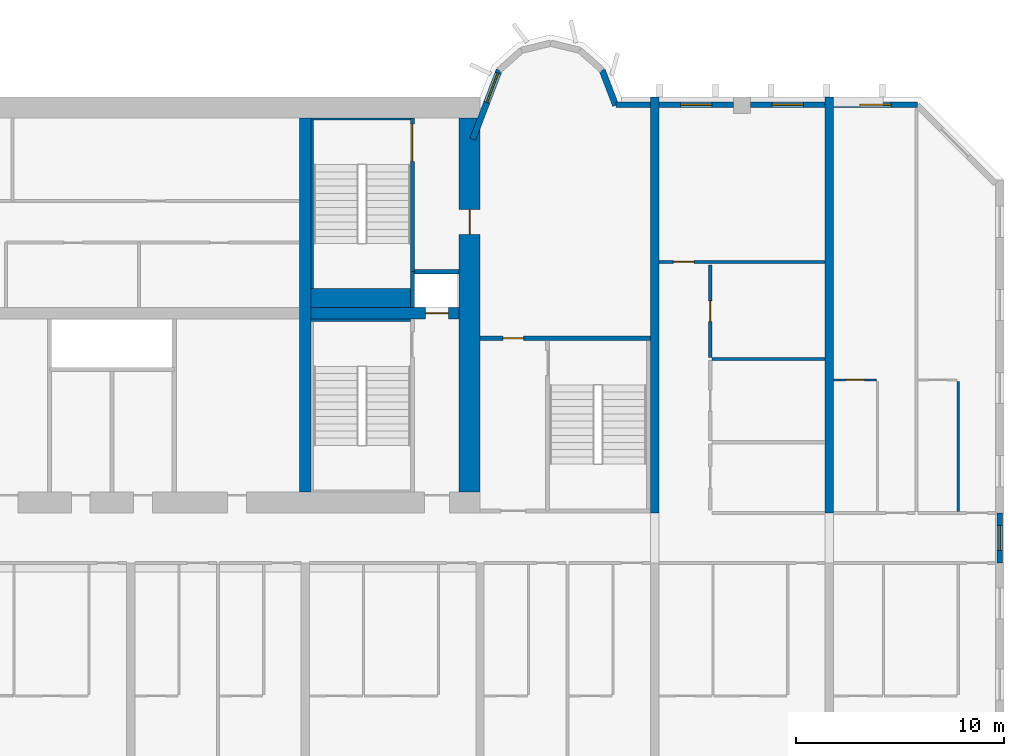
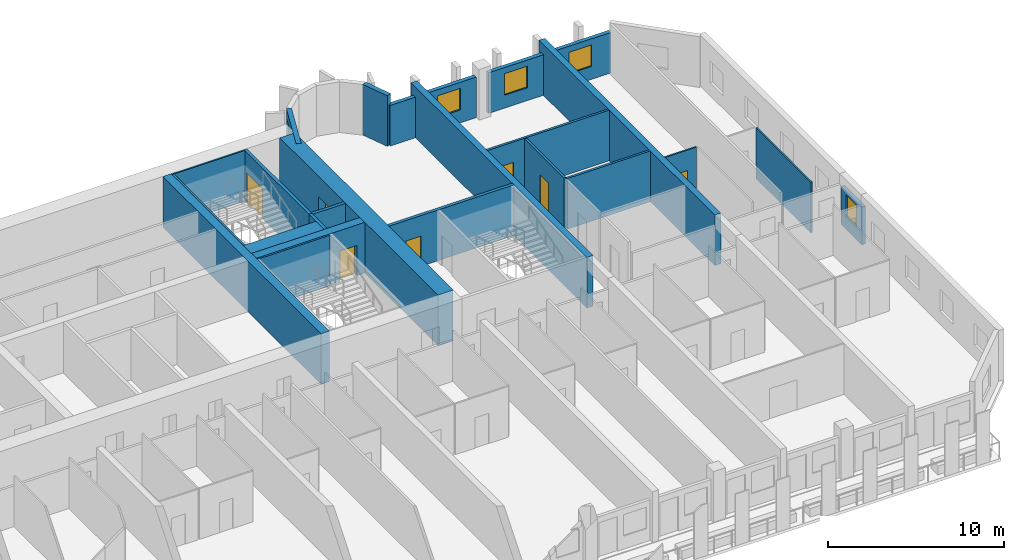
# One storey, part 10 of 15: 25 walls, 7 doors, 5 windows, 12 openings.
"""IFC4 building model written with IfcOpenShell, lengths in metres."""

from ifc_helpers import new_model, si_unit, direction, frame, frame_2d, origin, place, context, subcontext, project, spatial, rectangle, extrude, source, transform, mapped, material, layer, layer_set, type_object, element, fill, save


model = new_model("IFC4")

# Units and contexts
model_context = context("Model", 3, precision=1e-05, world=origin(), true_north=direction((0.0, 1.0)))
body_context = subcontext(model_context, "Body", "Model", "MODEL_VIEW")
ifc_project = project(units=[si_unit("LENGTHUNIT", "METRE"), si_unit("AREAUNIT", "SQUARE_METRE"), si_unit("VOLUMEUNIT", "CUBIC_METRE"), si_unit("PLANEANGLEUNIT", "RADIAN"), si_unit("MASSUNIT", "GRAM", prefix="KILO")], contexts=[model_context])

# Site, building, storey
site_placement = place(None, origin())
site = spatial("IfcSite", under=ifc_project, at=site_placement, CompositionType="ELEMENT")
building_placement = place(site_placement, origin())
building = spatial("IfcBuilding", under=site, at=building_placement, Name="Vanashikhar Sky Hotel", CompositionType="ELEMENT")
storey_placement = place(building_placement, frame((0.0, 0.0, 46.800048828125)))
storey = spatial("IfcBuildingStorey", under=building, at=storey_placement, Name="L10", CompositionType="ELEMENT", Elevation=46.800048828125)

# Wall, opening, door
ifc_material_1 = material(Name="Concrete M80", Category="concrete")
ifc_layer_1 = layer(ifc_material_1, 1.0)
ifc_layer_set_1 = layer_set([ifc_layer_1], Name="RC core shell wall 1000 Concrete M80")
wall_type_1 = type_object("IfcWallType", Name="RC core shell wall 1000 Concrete M80", PredefinedType="SHEAR", material=ifc_layer_set_1)
shared_shape_1 = source(origin(), body_context, "Body", "SweptSolid", [
    extrude(rectangle(XDim=18.0, YDim=1.0, at=frame_2d((9.0, 0.0))), origin(), (0.0, 0.0, 1.0), 3.52001953125),
])
wall_1_placement = place(storey_placement, frame((75.10009765625, 23.0, 0.0), z_axis=(0.0, 0.0, 1.0), x_axis=(0.0, 1.0, 0.0)))
wall_1 = element("IfcWall", 1, at=wall_1_placement, inside=storey, type_object=wall_type_1, Name="KW-L10-KE", PredefinedType="SHEAR", context=body_context, shape_type="MappedRepresentation", body=[
    mapped(shared_shape_1, transform((0.0, 0.0, 0.0), scale=1.0)),
])
shared_shape_2 = source(origin(), body_context, "Body", "SweptSolid", [
    extrude(rectangle(XDim=1.199951171875, YDim=2.10009765625, at=frame_2d((0.60009765625, 1.050048828125))), frame((0.0, 0.510009765625, 0.0), z_axis=(0.0, -1.0, 0.0), x_axis=(1.0, 0.0, 0.0)), (0.0, 0.0, 1.0), 1.02001953125),
])
opening_1_placement = place(wall_1_placement, frame((12.39990234375, 0.0, 0.0)))
opening_1 = element("IfcOpeningElement", 2, at=opening_1_placement, cuts=wall_1, Name="Opening DC-4-D", PredefinedType="OPENING", context=body_context, shape_type="MappedRepresentation", body=[
    mapped(shared_shape_2, transform((0.0, 0.0, 0.0), scale=1.0)),
])
ifc_material_2 = material(Name="Steel", Category="steel")
door_type_1 = type_object("IfcDoorType", Name="Service door 1200 FD120", OperationType="NOTDEFINED", PredefinedType="DOOR", material=ifc_material_2)
shared_shape_3 = source(origin(), body_context, "Body", "SweptSolid", [
    extrude(rectangle(XDim=1.199951171875, YDim=2.10009765625, at=frame_2d((0.60009765625, 1.050048828125))), frame((0.0, 0.02490234375, 0.0), z_axis=(0.0, -1.0, 0.0), x_axis=(1.0, 0.0, 0.0)), (0.0, 0.0, 1.0), 0.050048828125),
])
door_1_placement = place(opening_1_placement, origin())
door_1 = element("IfcDoor", 3, at=door_1_placement, inside=storey, type_object=door_type_1, Name="Service door 1200 FD120", OperationType="SINGLE_SWING_RIGHT", OverallHeight=2.10009765625, OverallWidth=1.199951171875, PredefinedType="DOOR", context=body_context, shape_type="MappedRepresentation", body=[
    mapped(shared_shape_3, transform((0.0, 0.0, 0.0), scale=1.0)),
])
fill(opening_1, door_1)

# Wall
ifc_layer_2 = layer(ifc_material_1, 0.550048828125)
ifc_layer_set_2 = layer_set([ifc_layer_2], Name="RC core inner wall 550 Concrete M80")
wall_type_2 = type_object("IfcWallType", Name="RC core inner wall 550 Concrete M80", PredefinedType="SHEAR", material=ifc_layer_set_2)
shared_shape_4 = source(origin(), body_context, "Body", "SweptSolid", [
    extrude(rectangle(XDim=18.0, YDim=0.550048828125, at=frame_2d((9.0, 0.0))), origin(), (0.0, 0.0, 1.0), 3.52001953125),
])
wall_2_placement = place(storey_placement, frame((67.199951171875, 23.0, 0.0), z_axis=(0.0, 0.0, 1.0), x_axis=(0.0, 1.0, 0.0)))
element("IfcWall", 4, at=wall_2_placement, inside=storey, type_object=wall_type_2, Name="KW-L10-KX3", PredefinedType="SHEAR", context=body_context, shape_type="MappedRepresentation", body=[
    mapped(shared_shape_4, transform((0.0, 0.0, 0.0), scale=1.0)),
])

# Wall, opening, door
shared_shape_5 = source(origin(), body_context, "Body", "SweptSolid", [
    extrude(rectangle(XDim=7.125, YDim=0.550048828125, at=frame_2d((3.5625, 0.0))), origin(), (0.0, 0.0, 1.0), 3.52001953125),
])
wall_3_placement = place(storey_placement, frame((67.47509765625, 31.60009765625, 0.0), z_axis=(0.0, 0.0, 1.0), x_axis=(1.0, 0.0, 0.0)))
wall_3 = element("IfcWall", 5, at=wall_3_placement, inside=storey, type_object=wall_type_2, Name="KW-L10-KY4", PredefinedType="SHEAR", context=body_context, shape_type="MappedRepresentation", body=[
    mapped(shared_shape_5, transform((0.0, 0.0, 0.0), scale=1.0)),
])
shared_shape_6 = source(origin(), body_context, "Body", "SweptSolid", [
    extrude(rectangle(XDim=1.10009765625, YDim=2.10009765625, at=frame_2d((0.550048828125, 1.050048828125))), frame((0.0, 0.28515625, 0.0), z_axis=(0.0, -1.0, 0.0), x_axis=(1.0, 0.0, 0.0)), (0.0, 0.0, 1.0), 0.570068359375),
])
opening_2_placement = place(wall_3_placement, frame((5.5, 0.0, 0.0)))
opening_2 = element("IfcOpeningElement", 6, at=opening_2_placement, cuts=wall_3, Name="Opening LD", PredefinedType="OPENING", context=body_context, shape_type="MappedRepresentation", body=[
    mapped(shared_shape_6, transform((0.0, 0.0, 0.0), scale=1.0)),
])
ifc_material_3 = material(Name="Stainless steel", Category="steel")
door_type_2 = type_object("IfcDoorType", Name="Lift landing door 1100", OperationType="NOTDEFINED", PredefinedType="DOOR", material=ifc_material_3)
shared_shape_7 = source(origin(), body_context, "Body", "SweptSolid", [
    extrude(rectangle(XDim=1.10009765625, YDim=2.10009765625, at=frame_2d((0.550048828125, 1.050048828125))), frame((0.0, 0.02490234375, 0.0), z_axis=(0.0, -1.0, 0.0), x_axis=(1.0, 0.0, 0.0)), (0.0, 0.0, 1.0), 0.050048828125),
])
door_2_placement = place(opening_2_placement, origin())
door_2 = element("IfcDoor", 7, at=door_2_placement, inside=storey, type_object=door_type_2, Name="Lift landing door 1100", OperationType="SLIDING_TO_LEFT", OverallHeight=2.10009765625, OverallWidth=1.10009765625, PredefinedType="DOOR", context=body_context, shape_type="MappedRepresentation", body=[
    mapped(shared_shape_7, transform((0.0, 0.0, 0.0), scale=1.0)),
])
fill(opening_2, door_2)

# Walls
ifc_layer_3 = layer(ifc_material_1, 0.39990234375)
ifc_layer_set_3 = layer_set([ifc_layer_3], Name="RC shear wall 400 Concrete M80")
wall_type_3 = type_object("IfcWallType", Name="RC shear wall 400 Concrete M80", PredefinedType="SHEAR", material=ifc_layer_set_3)
shared_shape_8 = source(origin(), body_context, "Body", "SweptSolid", [
    extrude(rectangle(XDim=20.0, YDim=0.39990234375, at=frame_2d((10.0, 0.0))), origin(), (0.0, 0.0, 1.0), 3.52001953125),
])
for number, where, z_axis, x_axis, name in (
    (8, (84.0, 22.0, 0.0), (0.0, 0.0, 1.0), (0.0, 1.0, 0.0), "CW-L10-XW11-2"),
    (9, (92.39990234375, 22.0, 0.0), (0.0, 0.0, 1.0), (0.0, 1.0, 0.0), "CW-L10-XW12-2"),
):
    element("IfcWall", number, at=place(storey_placement, frame(where, z_axis=z_axis, x_axis=x_axis)), inside=storey, type_object=wall_type_3, Name=name, PredefinedType="SHEAR", context=body_context, shape_type="MappedRepresentation", body=[
        mapped(shared_shape_8, transform((0.0, 0.0, 0.0), scale=1.0)),
    ])

# Wall, opening, window
ifc_material_4 = material(Name="Concrete M50", Category="concrete")
ifc_layer_4 = layer(ifc_material_4, 0.300048828125)
ifc_layer_set_4 = layer_set([ifc_layer_4], Name="Lobe wall 300")
wall_type_4 = type_object("IfcWallType", Name="Lobe wall 300", PredefinedType="SOLIDWALL", material=ifc_layer_set_4)
shared_shape_9 = source(origin(), body_context, "Body", "SweptSolid", [
    extrude(rectangle(XDim=3.55908203125, YDim=0.300048828125, at=frame_2d((1.779541015625, 0.0))), origin(), (0.0, 0.0, 1.0), 3.52001953125),
])
wall_4_placement = place(storey_placement, frame((76.5234375, 43.2919921875, 0.0), z_axis=(0.0, 0.0, 1.0), x_axis=(-0.35779745313, -0.933799219604, 0.0)))
wall_4 = element("IfcWall", 10, at=wall_4_placement, inside=storey, type_object=wall_type_4, Name="Lobe wall", PredefinedType="SOLIDWALL", context=body_context, shape_type="MappedRepresentation", body=[
    mapped(shared_shape_9, transform((0.0, 0.0, 0.0), scale=1.0)),
])
shared_shape_10 = source(origin(), body_context, "Body", "SweptSolid", [
    extrude(rectangle(XDim=1.5, YDim=2.0, at=frame_2d((0.75, 1.0))), frame((0.0, 0.16015625, 0.0), z_axis=(0.0, -1.0, 0.0), x_axis=(1.0, 0.0, 0.0)), (0.0, 0.0, 1.0), 0.320068359375),
])
opening_3_placement = place(wall_4_placement, frame((0.156005859375, 0.0, 0.89990234375)))
opening_3 = element("IfcOpeningElement", 11, at=opening_3_placement, cuts=wall_4, Name="Opening WN-2", PredefinedType="OPENING", context=body_context, shape_type="MappedRepresentation", body=[
    mapped(shared_shape_10, transform((0.0, 0.0, 0.0), scale=1.0)),
])
ifc_material_5 = material(Name="Glass", Category="glass")
window_type_1 = type_object("IfcWindowType", Name="Lobe window 1500 x 2000", PartitioningType="SINGLE_PANEL", PredefinedType="WINDOW", material=ifc_material_5)
shared_shape_11 = source(origin(), body_context, "Body", "SweptSolid", [
    extrude(rectangle(XDim=1.5, YDim=2.0, at=frame_2d((0.75, 1.0))), frame((0.0, 0.030029296875, 0.0), z_axis=(0.0, -1.0, 0.0), x_axis=(1.0, 0.0, 0.0)), (0.0, 0.0, 1.0), 0.06005859375),
])
window_1_placement = place(opening_3_placement, origin())
window_1 = element("IfcWindow", 12, at=window_1_placement, inside=storey, type_object=window_type_1, Name="Window WN-2", OverallHeight=2.0, OverallWidth=1.5, PartitioningType="SINGLE_PANEL", PredefinedType="WINDOW", context=body_context, shape_type="MappedRepresentation", body=[
    mapped(shared_shape_11, transform((0.0, 0.0, 0.0), scale=1.0)),
])
fill(opening_3, window_1)

# Wall
shared_shape_12 = source(origin(), body_context, "Body", "SweptSolid", [
    extrude(rectangle(XDim=1.81201171875, YDim=0.300048828125, at=frame_2d((0.906005859375, 0.0))), origin(), (0.0, 0.0, 1.0), 3.52001953125),
])
wall_5_placement = place(storey_placement, frame((82.125, 41.60009765625, 0.0), z_axis=(0.0, 0.0, 1.0), x_axis=(-0.357877270961, 0.93376863244, 0.0)))
element("IfcWall", 13, at=wall_5_placement, inside=storey, type_object=wall_type_4, Name="Lobe wall", PredefinedType="SOLIDWALL", context=body_context, shape_type="MappedRepresentation", body=[
    mapped(shared_shape_12, transform((0.0, 0.0, 0.0), scale=1.0)),
])

# Wall, opening, window
ifc_layer_5 = layer(ifc_material_4, 0.25)
ifc_layer_set_5 = layer_set([ifc_layer_5], Name="Rear and end board-marked wall 250")
wall_type_5 = type_object("IfcWallType", Name="Rear and end board-marked wall 250", PredefinedType="SOLIDWALL", material=ifc_layer_set_5)
shared_shape_13 = source(origin(), body_context, "Body", "SweptSolid", [
    extrude(rectangle(XDim=2.39990234375, YDim=0.25, at=frame_2d((1.199951171875, 0.0))), origin(), (0.0, 0.0, 1.0), 2.619873046875),
])
wall_6_placement = place(storey_placement, frame((100.60009765625, 19.60009765625, 0.0), z_axis=(0.0, 0.0, 1.0), x_axis=(0.0, 1.0, 0.0)))
wall_6 = element("IfcWall", 14, at=wall_6_placement, inside=storey, type_object=wall_type_5, Name="End corridor infill wall", PredefinedType="SOLIDWALL", context=body_context, shape_type="MappedRepresentation", body=[
    mapped(shared_shape_13, transform((0.0, 0.0, 0.0), scale=1.0)),
])
shared_shape_14 = source(origin(), body_context, "Body", "SweptSolid", [
    extrude(rectangle(XDim=1.199951171875, YDim=1.5, at=frame_2d((0.60009765625, 0.75))), frame((0.0, 0.135009765625, 0.0), z_axis=(0.0, -1.0, 0.0), x_axis=(1.0, 0.0, 0.0)), (0.0, 0.0, 1.0), 0.27001953125),
])
opening_4_placement = place(wall_6_placement, frame((0.60009765625, 0.0, 0.89990234375)))
opening_4 = element("IfcOpeningElement", 15, at=opening_4_placement, cuts=wall_6, Name="Opening WN-3", PredefinedType="OPENING", context=body_context, shape_type="MappedRepresentation", body=[
    mapped(shared_shape_14, transform((0.0, 0.0, 0.0), scale=1.0)),
])
window_type_2 = type_object("IfcWindowType", Name="Corridor end window 1200 x 1500", PartitioningType="SINGLE_PANEL", PredefinedType="WINDOW", material=ifc_material_5)
shared_shape_15 = source(origin(), body_context, "Body", "SweptSolid", [
    extrude(rectangle(XDim=1.199951171875, YDim=1.5, at=frame_2d((0.60009765625, 0.75))), frame((0.0, 0.030029296875, 0.0), z_axis=(0.0, -1.0, 0.0), x_axis=(1.0, 0.0, 0.0)), (0.0, 0.0, 1.0), 0.06005859375),
])
window_2_placement = place(opening_4_placement, origin())
window_2 = element("IfcWindow", 16, at=window_2_placement, inside=storey, type_object=window_type_2, Name="Window WN-3", OverallHeight=1.5, OverallWidth=1.199951171875, PartitioningType="SINGLE_PANEL", PredefinedType="WINDOW", context=body_context, shape_type="MappedRepresentation", body=[
    mapped(shared_shape_15, transform((0.0, 0.0, 0.0), scale=1.0)),
])
fill(opening_4, window_2)

# Wall
shared_shape_16 = source(origin(), body_context, "Body", "SweptSolid", [
    extrude(rectangle(XDim=1.657958984375, YDim=0.25, at=frame_2d((0.8291015625, 0.0))), origin(), (0.0, 0.0, 1.0), 2.820068359375),
])
wall_7_placement = place(storey_placement, frame((83.800048828125, 41.625, 0.0), z_axis=(0.0, 0.0, 1.0), x_axis=(-1.0, 0.0, 0.0)))
element("IfcWall", 17, at=wall_7_placement, inside=storey, type_object=wall_type_5, Name="Rear board-marked wall", PredefinedType="SOLIDWALL", context=body_context, shape_type="MappedRepresentation", body=[
    mapped(shared_shape_16, transform((0.0, 0.0, 0.0), scale=1.0)),
])

# Wall, opening, window
shared_shape_17 = source(origin(), body_context, "Body", "SweptSolid", [
    extrude(rectangle(XDim=3.60009765625, YDim=0.25, at=frame_2d((1.800048828125, 0.0))), origin(), (0.0, 0.0, 1.0), 2.820068359375),
])
wall_8_placement = place(storey_placement, frame((87.800048828125, 41.625, 0.0), z_axis=(0.0, 0.0, 1.0), x_axis=(-1.0, 0.0, 0.0)))
wall_8 = element("IfcWall", 18, at=wall_8_placement, inside=storey, type_object=wall_type_5, Name="Rear board-marked wall", PredefinedType="SOLIDWALL", context=body_context, shape_type="MappedRepresentation", body=[
    mapped(shared_shape_17, transform((0.0, 0.0, 0.0), scale=1.0)),
])
shared_shape_18 = source(origin(), body_context, "Body", "SweptSolid", [
    extrude(rectangle(XDim=1.5, YDim=1.5, at=frame_2d((0.75, 0.75))), frame((0.0, 0.135009765625, 0.0), z_axis=(0.0, -1.0, 0.0), x_axis=(1.0, 0.0, 0.0)), (0.0, 0.0, 1.0), 0.27001953125),
])
opening_5_placement = place(wall_8_placement, frame((1.050048828125, 0.0, 0.89990234375)))
opening_5 = element("IfcOpeningElement", 19, at=opening_5_placement, cuts=wall_8, Name="Opening WN-1", PredefinedType="OPENING", context=body_context, shape_type="MappedRepresentation", body=[
    mapped(shared_shape_18, transform((0.0, 0.0, 0.0), scale=1.0)),
])
window_type_3 = type_object("IfcWindowType", Name="Window 1500 x 1500", PartitioningType="SINGLE_PANEL", PredefinedType="WINDOW", material=ifc_material_5)
shared_shape_19 = source(origin(), body_context, "Body", "SweptSolid", [
    extrude(rectangle(XDim=1.5, YDim=1.5, at=frame_2d((0.75, 0.75))), frame((0.0, 0.030029296875, 0.0), z_axis=(0.0, -1.0, 0.0), x_axis=(1.0, 0.0, 0.0)), (0.0, 0.0, 1.0), 0.06005859375),
])
window_3_placement = place(opening_5_placement, origin())
window_3 = element("IfcWindow", 20, at=window_3_placement, inside=storey, type_object=window_type_3, Name="Window WN-1", OverallHeight=1.5, OverallWidth=1.5, PartitioningType="SINGLE_PANEL", PredefinedType="WINDOW", context=body_context, shape_type="MappedRepresentation", body=[
    mapped(shared_shape_19, transform((0.0, 0.0, 0.0), scale=1.0)),
])
fill(opening_5, window_3)

shared_shape_20 = source(origin(), body_context, "Body", "SweptSolid", [
    extrude(rectangle(XDim=3.599853515625, YDim=0.25, at=frame_2d((1.7998046875, 0.0))), origin(), (0.0, 0.0, 1.0), 2.820068359375),
])
wall_9_placement = place(storey_placement, frame((92.199951171875, 41.625, 0.0), z_axis=(0.0, 0.0, 1.0), x_axis=(-1.0, 0.0, 0.0)))
wall_9 = element("IfcWall", 21, at=wall_9_placement, inside=storey, type_object=wall_type_5, Name="Rear board-marked wall", PredefinedType="SOLIDWALL", context=body_context, shape_type="MappedRepresentation", body=[
    mapped(shared_shape_20, transform((0.0, 0.0, 0.0), scale=1.0)),
])
opening_6_placement = place(wall_9_placement, frame((1.050048828125, 0.0, 0.89990234375)))
opening_6 = element("IfcOpeningElement", 22, at=opening_6_placement, cuts=wall_9, Name="Opening WN-1", PredefinedType="OPENING", context=body_context, shape_type="MappedRepresentation", body=[
    mapped(shared_shape_18, transform((0.0, 0.0, 0.0), scale=1.0)),
])
window_4_placement = place(opening_6_placement, origin())
window_4 = element("IfcWindow", 23, at=window_4_placement, inside=storey, type_object=window_type_3, Name="Window WN-1", OverallHeight=1.5, OverallWidth=1.5, PartitioningType="SINGLE_PANEL", PredefinedType="WINDOW", context=body_context, shape_type="MappedRepresentation", body=[
    mapped(shared_shape_19, transform((0.0, 0.0, 0.0), scale=1.0)),
])
fill(opening_6, window_4)

shared_shape_21 = source(origin(), body_context, "Body", "SweptSolid", [
    extrude(rectangle(XDim=4.044677734375, YDim=0.25, at=frame_2d((2.0224609375, 0.0))), origin(), (0.0, 0.0, 1.0), 2.820068359375),
])
wall_10_placement = place(storey_placement, frame((96.644775390625, 41.625, 0.0), z_axis=(0.0, 0.0, 1.0), x_axis=(-1.0, 0.0, 0.0)))
wall_10 = element("IfcWall", 24, at=wall_10_placement, inside=storey, type_object=wall_type_5, Name="Rear board-marked wall", PredefinedType="SOLIDWALL", context=body_context, shape_type="MappedRepresentation", body=[
    mapped(shared_shape_21, transform((0.0, 0.0, 0.0), scale=1.0)),
])
opening_7_placement = place(wall_10_placement, frame((1.272216796875, 0.0, 0.89990234375)))
opening_7 = element("IfcOpeningElement", 25, at=opening_7_placement, cuts=wall_10, Name="Opening WN-1", PredefinedType="OPENING", context=body_context, shape_type="MappedRepresentation", body=[
    mapped(shared_shape_18, transform((0.0, 0.0, 0.0), scale=1.0)),
])
window_5_placement = place(opening_7_placement, origin())
window_5 = element("IfcWindow", 26, at=window_5_placement, inside=storey, type_object=window_type_3, Name="Window WN-1", OverallHeight=1.5, OverallWidth=1.5, PartitioningType="SINGLE_PANEL", PredefinedType="WINDOW", context=body_context, shape_type="MappedRepresentation", body=[
    mapped(shared_shape_19, transform((0.0, 0.0, 0.0), scale=1.0)),
])
fill(opening_7, window_5)

# Wall, opening, door
ifc_layer_6 = layer(ifc_material_4, 0.199951171875)
ifc_layer_set_6 = layer_set([ifc_layer_6], Name="Stair wall 200")
wall_type_6 = type_object("IfcWallType", Name="Stair wall 200", PredefinedType="SOLIDWALL", material=ifc_layer_set_6)
shared_shape_22 = source(origin(), body_context, "Body", "SweptSolid", [
    extrude(rectangle(XDim=8.199951171875, YDim=0.199951171875, at=frame_2d((4.10009765625, 0.0))), origin(), (0.0, 0.0, 1.0), 3.52001953125),
])
wall_11_placement = place(storey_placement, frame((83.800048828125, 30.39990234375, 0.0), z_axis=(0.0, 0.0, 1.0), x_axis=(-1.0, 0.0, 0.0)))
wall_11 = element("IfcWall", 27, at=wall_11_placement, inside=storey, type_object=wall_type_6, Name="Stair wall 200", PredefinedType="SOLIDWALL", context=body_context, shape_type="MappedRepresentation", body=[
    mapped(shared_shape_22, transform((0.0, 0.0, 0.0), scale=1.0)),
])
shared_shape_23 = source(origin(), body_context, "Body", "SweptSolid", [
    extrude(rectangle(XDim=1.0, YDim=2.10009765625, at=frame_2d((0.5, 1.050048828125))), frame((0.0, 0.10986328125, 0.0), z_axis=(0.0, -1.0, 0.0), x_axis=(1.0, 0.0, 0.0)), (0.0, 0.0, 1.0), 0.219970703125),
])
opening_8_placement = place(wall_11_placement, frame((6.10009765625, 0.0, 0.0)))
opening_8 = element("IfcOpeningElement", 28, at=opening_8_placement, cuts=wall_11, Name="Opening DC-6", PredefinedType="OPENING", context=body_context, shape_type="MappedRepresentation", body=[
    mapped(shared_shape_23, transform((0.0, 0.0, 0.0), scale=1.0)),
])
door_type_3 = type_object("IfcDoorType", Name="Pocket door 1000 FD60", OperationType="NOTDEFINED", PredefinedType="DOOR", material=ifc_material_2)
shared_shape_24 = source(origin(), body_context, "Body", "SweptSolid", [
    extrude(rectangle(XDim=1.0, YDim=2.10009765625, at=frame_2d((0.5, 1.050048828125))), frame((0.0, 0.02490234375, 0.0), z_axis=(0.0, -1.0, 0.0), x_axis=(1.0, 0.0, 0.0)), (0.0, 0.0, 1.0), 0.050048828125),
])
door_3_placement = place(opening_8_placement, origin())
door_3 = element("IfcDoor", 29, at=door_3_placement, inside=storey, type_object=door_type_3, Name="Pocket door 1000 FD60", OperationType="SINGLE_SWING_LEFT", OverallHeight=2.10009765625, OverallWidth=1.0, PredefinedType="DOOR", context=body_context, shape_type="MappedRepresentation", body=[
    mapped(shared_shape_24, transform((0.0, 0.0, 0.0), scale=1.0)),
])
fill(opening_8, door_3)

# Walls
ifc_material_6 = material(Name="Concrete M40", Category="concrete")
ifc_layer_7 = layer(ifc_material_6, 0.199951171875)
ifc_layer_set_7 = layer_set([ifc_layer_7], Name="Shaft wall 200")
wall_type_7 = type_object("IfcWallType", Name="Shaft wall 200", PredefinedType="SOLIDWALL", material=ifc_layer_set_7)
shared_shape_25 = source(origin(), body_context, "Body", "SweptSolid", [
    extrude(rectangle(XDim=2.150146484375, YDim=0.199951171875, at=frame_2d((1.0751953125, 0.0))), origin(), (0.0, 0.0, 1.0), 3.52001953125),
])
wall_12_placement = place(storey_placement, frame((72.449951171875, 33.60009765625, 0.0), z_axis=(0.0, 0.0, 1.0), x_axis=(1.0, 0.0, 0.0)))
element("IfcWall", 30, at=wall_12_placement, inside=storey, type_object=wall_type_7, Name="Shaft wall 200", PredefinedType="SOLIDWALL", context=body_context, shape_type="MappedRepresentation", body=[
    mapped(shared_shape_25, transform((0.0, 0.0, 0.0), scale=1.0)),
])
shared_shape_26 = source(origin(), body_context, "Body", "SweptSolid", [
    extrude(rectangle(XDim=1.72509765625, YDim=0.199951171875, at=frame_2d((0.862548828125, 0.0))), origin(), (0.0, 0.0, 1.0), 3.52001953125),
])
wall_13_placement = place(storey_placement, frame((72.35009765625, 31.875, 0.0), z_axis=(0.0, 0.0, 1.0), x_axis=(0.0, 1.0, 0.0)))
element("IfcWall", 31, at=wall_13_placement, inside=storey, type_object=wall_type_7, Name="Shaft wall 200", PredefinedType="SOLIDWALL", context=body_context, shape_type="MappedRepresentation", body=[
    mapped(shared_shape_26, transform((0.0, 0.0, 0.0), scale=1.0)),
])

# Wall, opening, door
shared_shape_27 = source(origin(), body_context, "Body", "SweptSolid", [
    extrude(rectangle(XDim=7.39990234375, YDim=0.199951171875, at=frame_2d((3.699951171875, 0.0))), origin(), (0.0, 0.0, 1.0), 3.52001953125),
])
wall_14_placement = place(storey_placement, frame((72.35009765625, 33.60009765625, 0.0), z_axis=(0.0, 0.0, 1.0), x_axis=(0.0, 1.0, 0.0)))
wall_14 = element("IfcWall", 32, at=wall_14_placement, inside=storey, type_object=wall_type_6, Name="Stair wall 200", PredefinedType="SOLIDWALL", context=body_context, shape_type="MappedRepresentation", body=[
    mapped(shared_shape_27, transform((0.0, 0.0, 0.0), scale=1.0)),
])
shared_shape_28 = source(origin(), body_context, "Body", "SweptSolid", [
    extrude(rectangle(XDim=1.800048828125, YDim=2.10009765625, at=frame_2d((0.89990234375, 1.050048828125))), frame((0.0, 0.10986328125, 0.0), z_axis=(0.0, -1.0, 0.0), x_axis=(1.0, 0.0, 0.0)), (0.0, 0.0, 1.0), 0.219970703125),
])
opening_9_placement = place(wall_14_placement, frame((5.300048828125, 0.0, 0.0)))
opening_9 = element("IfcOpeningElement", 33, at=opening_9_placement, cuts=wall_14, Name="Opening DC-1-A", PredefinedType="OPENING", context=body_context, shape_type="MappedRepresentation", body=[
    mapped(shared_shape_28, transform((0.0, 0.0, 0.0), scale=1.0)),
])
door_type_4 = type_object("IfcDoorType", Name="Stair door 1800 FD120", OperationType="NOTDEFINED", PredefinedType="DOOR", material=ifc_material_2)
shared_shape_29 = source(origin(), body_context, "Body", "SweptSolid", [
    extrude(rectangle(XDim=1.800048828125, YDim=2.10009765625, at=frame_2d((0.89990234375, 1.050048828125))), frame((0.0, 0.02490234375, 0.0), z_axis=(0.0, -1.0, 0.0), x_axis=(1.0, 0.0, 0.0)), (0.0, 0.0, 1.0), 0.050048828125),
])
door_4_placement = place(opening_9_placement, origin())
door_4 = element("IfcDoor", 34, at=door_4_placement, inside=storey, type_object=door_type_4, Name="Stair door 1800 FD120", OperationType="SINGLE_SWING_RIGHT", OverallHeight=2.10009765625, OverallWidth=1.800048828125, PredefinedType="DOOR", context=body_context, shape_type="MappedRepresentation", body=[
    mapped(shared_shape_29, transform((0.0, 0.0, 0.0), scale=1.0)),
])
fill(opening_9, door_4)

# Walls
ifc_layer_8 = layer(ifc_material_4, 0.10009765625)
ifc_layer_set_8 = layer_set([ifc_layer_8], Name="Stair infill wall 100")
wall_type_8 = type_object("IfcWallType", Name="Stair infill wall 100", PredefinedType="SOLIDWALL", material=ifc_layer_set_8)
shared_shape_30 = source(origin(), body_context, "Body", "SweptSolid", [
    extrude(rectangle(XDim=4.77490234375, YDim=0.10009765625, at=frame_2d((2.387451171875, 0.0))), origin(), (0.0, 0.0, 1.0), 3.52001953125),
])
wall_15_placement = place(storey_placement, frame((67.47509765625, 40.949951171875, 0.0), z_axis=(0.0, 0.0, 1.0), x_axis=(1.0, 0.0, 0.0)))
element("IfcWall", 35, at=wall_15_placement, inside=storey, type_object=wall_type_8, Name="Stair infill wall 100", PredefinedType="SOLIDWALL", context=body_context, shape_type="MappedRepresentation", body=[
    mapped(shared_shape_30, transform((0.0, 0.0, 0.0), scale=1.0)),
])
ifc_layer_9 = layer(ifc_material_4, 0.125)
ifc_layer_set_9 = layer_set([ifc_layer_9], Name="Stair infill wall 125")
wall_type_9 = type_object("IfcWallType", Name="Stair infill wall 125", PredefinedType="SOLIDWALL", material=ifc_layer_set_9)
shared_shape_31 = source(origin(), body_context, "Body", "SweptSolid", [
    extrude(rectangle(XDim=4.77490234375, YDim=0.125, at=frame_2d((2.387451171875, 0.0))), origin(), (0.0, 0.0, 1.0), 3.52001953125),
])
wall_16_placement = place(storey_placement, frame((67.47509765625, 31.261962890625, 0.0), z_axis=(0.0, 0.0, 1.0), x_axis=(1.0, 0.0, 0.0)))
element("IfcWall", 36, at=wall_16_placement, inside=storey, type_object=wall_type_9, Name="Stair infill wall 125", PredefinedType="SOLIDWALL", context=body_context, shape_type="MappedRepresentation", body=[
    mapped(shared_shape_31, transform((0.0, 0.0, 0.0), scale=1.0)),
])
shared_shape_32 = source(origin(), body_context, "Body", "SweptSolid", [
    extrude(rectangle(XDim=8.099853515625, YDim=0.125, at=frame_2d((4.0498046875, 0.0))), origin(), (0.0, 0.0, 1.0), 3.52001953125),
])
wall_17_placement = place(storey_placement, frame((67.537109375, 32.800048828125, 0.0), z_axis=(0.0, 0.0, 1.0), x_axis=(0.0, 1.0, 0.0)))
element("IfcWall", 37, at=wall_17_placement, inside=storey, type_object=wall_type_9, Name="Stair infill wall 125", PredefinedType="SOLIDWALL", context=body_context, shape_type="MappedRepresentation", body=[
    mapped(shared_shape_32, transform((0.0, 0.0, 0.0), scale=1.0)),
])
ifc_layer_10 = layer(ifc_material_4, 0.925048828125)
ifc_layer_set_10 = layer_set([ifc_layer_10], Name="Stair infill wall 925")
wall_type_10 = type_object("IfcWallType", Name="Stair infill wall 925", PredefinedType="SOLIDWALL", material=ifc_layer_set_10)
shared_shape_33 = source(origin(), body_context, "Body", "SweptSolid", [
    extrude(rectangle(XDim=4.77490234375, YDim=0.925048828125, at=frame_2d((2.387451171875, 0.0))), origin(), (0.0, 0.0, 1.0), 3.52001953125),
])
wall_18_placement = place(storey_placement, frame((67.47509765625, 32.3369140625, 0.0), z_axis=(0.0, 0.0, 1.0), x_axis=(1.0, 0.0, 0.0)))
element("IfcWall", 38, at=wall_18_placement, inside=storey, type_object=wall_type_10, Name="Stair infill wall 925", PredefinedType="SOLIDWALL", context=body_context, shape_type="MappedRepresentation", body=[
    mapped(shared_shape_33, transform((0.0, 0.0, 0.0), scale=1.0)),
])
ifc_material_7 = material(Name="Gypsum plasterboard partition")
ifc_layer_11 = layer(ifc_material_7, 0.10009765625)
ifc_layer_set_11 = layer_set([ifc_layer_11], Name="Wet room partition 100")
wall_type_11 = type_object("IfcWallType", Name="Wet room partition 100", PredefinedType="PARTITIONING", material=ifc_layer_set_11)
shared_shape_34 = source(origin(), body_context, "Body", "SweptSolid", [
    extrude(rectangle(XDim=6.25, YDim=0.10009765625, at=frame_2d((3.125, 0.0))), origin(), (0.0, 0.0, 1.0), 3.52001953125),
])
wall_19_placement = place(storey_placement, frame((98.60009765625, 22.074951171875, 0.0), z_axis=(0.0, 0.0, 1.0), x_axis=(0.0, 1.0, 0.0)))
element("IfcWall", 39, at=wall_19_placement, inside=storey, type_object=wall_type_11, Name="W-L10-PW092", PredefinedType="PARTITIONING", context=body_context, shape_type="MappedRepresentation", body=[
    mapped(shared_shape_34, transform((0.0, 0.0, 0.0), scale=1.0)),
])

# Wall, opening, door
ifc_layer_12 = layer(ifc_material_7, 0.14990234375)
ifc_layer_set_12 = layer_set([ifc_layer_12], Name="Corridor and demising partition 150")
wall_type_12 = type_object("IfcWallType", Name="Corridor and demising partition 150", PredefinedType="PARTITIONING", material=ifc_layer_set_12)
shared_shape_35 = source(origin(), body_context, "Body", "SweptSolid", [
    extrude(rectangle(XDim=4.449951171875, YDim=0.14990234375, at=frame_2d((2.22509765625, 0.0))), origin(), (0.0, 0.0, 1.0), 3.52001953125),
])
wall_20_placement = place(storey_placement, frame((86.675048828125, 29.47509765625, 0.0), z_axis=(0.0, 0.0, 1.0), x_axis=(0.0, 1.0, 0.0)))
wall_20 = element("IfcWall", 40, at=wall_20_placement, inside=storey, type_object=wall_type_12, Name="W-L10-PW087", PredefinedType="PARTITIONING", context=body_context, shape_type="MappedRepresentation", body=[
    mapped(shared_shape_35, transform((0.0, 0.0, 0.0), scale=1.0)),
])
shared_shape_36 = source(origin(), body_context, "Body", "SweptSolid", [
    extrude(rectangle(XDim=1.0, YDim=2.10009765625, at=frame_2d((0.5, 1.050048828125))), frame((0.0, 0.0849609375, 0.0), z_axis=(0.0, -1.0, 0.0), x_axis=(1.0, 0.0, 0.0)), (0.0, 0.0, 1.0), 0.169921875),
])
opening_10_placement = place(wall_20_placement, frame((1.72509765625, 0.0, 0.0)))
opening_10 = element("IfcOpeningElement", 41, at=opening_10_placement, cuts=wall_20, Name="Opening D-01", PredefinedType="OPENING", context=body_context, shape_type="MappedRepresentation", body=[
    mapped(shared_shape_36, transform((0.0, 0.0, 0.0), scale=1.0)),
])
ifc_material_8 = material(Name="Timber fire door", Category="wood")
door_type_5 = type_object("IfcDoorType", Name="Guest entry door 1000 FD30S", OperationType="NOTDEFINED", PredefinedType="DOOR", material=ifc_material_8)
door_5_placement = place(opening_10_placement, origin())
door_5 = element("IfcDoor", 42, at=door_5_placement, inside=storey, type_object=door_type_5, Name="D-L10-050", OperationType="SINGLE_SWING_LEFT", OverallHeight=2.10009765625, OverallWidth=1.0, PredefinedType="DOOR", context=body_context, shape_type="MappedRepresentation", body=[
    mapped(shared_shape_24, transform((0.0, 0.0, 0.0), scale=1.0)),
])
fill(opening_10, door_5)

shared_shape_37 = source(origin(), body_context, "Body", "SweptSolid", [
    extrude(rectangle(XDim=2.074951171875, YDim=0.10009765625, at=frame_2d((1.03759765625, 0.0))), origin(), (0.0, 0.0, 1.0), 3.52001953125),
])
wall_21_placement = place(storey_placement, frame((92.60009765625, 28.39990234375, 0.0), z_axis=(0.0, 0.0, 1.0), x_axis=(1.0, 0.0, 0.0)))
wall_21 = element("IfcWall", 43, at=wall_21_placement, inside=storey, type_object=wall_type_11, Name="W-L10-PW090", PredefinedType="PARTITIONING", context=body_context, shape_type="MappedRepresentation", body=[
    mapped(shared_shape_37, transform((0.0, 0.0, 0.0), scale=1.0)),
])
shared_shape_38 = source(origin(), body_context, "Body", "SweptSolid", [
    extrude(rectangle(XDim=0.89990234375, YDim=2.10009765625, at=frame_2d((0.449951171875, 1.050048828125))), frame((0.0, 0.06005859375, 0.0), z_axis=(0.0, -1.0, 0.0), x_axis=(1.0, 0.0, 0.0)), (0.0, 0.0, 1.0), 0.1201171875),
])
opening_11_placement = place(wall_21_placement, frame((0.5869140625, 0.0, 0.0)))
opening_11 = element("IfcOpeningElement", 44, at=opening_11_placement, cuts=wall_21, Name="Opening D-02", PredefinedType="OPENING", context=body_context, shape_type="MappedRepresentation", body=[
    mapped(shared_shape_38, transform((0.0, 0.0, 0.0), scale=1.0)),
])
ifc_material_9 = material(Name="Timber door", Category="wood")
door_type_6 = type_object("IfcDoorType", Name="Internal door 900", OperationType="NOTDEFINED", PredefinedType="DOOR", material=ifc_material_9)
shared_shape_39 = source(origin(), body_context, "Body", "SweptSolid", [
    extrude(rectangle(XDim=0.89990234375, YDim=2.10009765625, at=frame_2d((0.449951171875, 1.050048828125))), frame((0.0, 0.02490234375, 0.0), z_axis=(0.0, -1.0, 0.0), x_axis=(1.0, 0.0, 0.0)), (0.0, 0.0, 1.0), 0.050048828125),
])
door_6_placement = place(opening_11_placement, origin())
door_6 = element("IfcDoor", 45, at=door_6_placement, inside=storey, type_object=door_type_6, Name="D-L10-052", OperationType="SINGLE_SWING_RIGHT", OverallHeight=2.10009765625, OverallWidth=0.89990234375, PredefinedType="DOOR", context=body_context, shape_type="MappedRepresentation", body=[
    mapped(shared_shape_39, transform((0.0, 0.0, 0.0), scale=1.0)),
])
fill(opening_11, door_6)

# Wall
shared_shape_40 = source(origin(), body_context, "Body", "SweptSolid", [
    extrude(rectangle(XDim=5.449951171875, YDim=0.14990234375, at=frame_2d((2.72509765625, 0.0))), origin(), (0.0, 0.0, 1.0), 3.52001953125),
])
wall_22_placement = place(storey_placement, frame((86.75, 29.39990234375, 0.0), z_axis=(0.0, 0.0, 1.0), x_axis=(1.0, 0.0, 0.0)))
element("IfcWall", 46, at=wall_22_placement, inside=storey, type_object=wall_type_12, Name="W-L10-PW086", PredefinedType="PARTITIONING", context=body_context, shape_type="MappedRepresentation", body=[
    mapped(shared_shape_40, transform((0.0, 0.0, 0.0), scale=1.0)),
])

# Wall, opening, door
shared_shape_41 = source(origin(), body_context, "Body", "SweptSolid", [
    extrude(rectangle(XDim=8.0, YDim=0.14990234375, at=frame_2d((4.0, 0.0))), origin(), (0.0, 0.0, 1.0), 3.52001953125),
])
wall_23_placement = place(storey_placement, frame((84.199951171875, 34.074951171875, 0.0), z_axis=(0.0, 0.0, 1.0), x_axis=(1.0, 0.0, 0.0)))
wall_23 = element("IfcWall", 47, at=wall_23_placement, inside=storey, type_object=wall_type_12, Name="W-L10-PW088", PredefinedType="PARTITIONING", context=body_context, shape_type="MappedRepresentation", body=[
    mapped(shared_shape_41, transform((0.0, 0.0, 0.0), scale=1.0)),
])
opening_12_placement = place(wall_23_placement, frame((0.699951171875, 0.0, 0.0)))
opening_12 = element("IfcOpeningElement", 48, at=opening_12_placement, cuts=wall_23, Name="Opening D-01", PredefinedType="OPENING", context=body_context, shape_type="MappedRepresentation", body=[
    mapped(shared_shape_36, transform((0.0, 0.0, 0.0), scale=1.0)),
])
door_7_placement = place(opening_12_placement, origin())
door_7 = element("IfcDoor", 49, at=door_7_placement, inside=storey, type_object=door_type_5, Name="D-L10-051", OperationType="SINGLE_SWING_LEFT", OverallHeight=2.10009765625, OverallWidth=1.0, PredefinedType="DOOR", context=body_context, shape_type="MappedRepresentation", body=[
    mapped(shared_shape_24, transform((0.0, 0.0, 0.0), scale=1.0)),
])
fill(opening_12, door_7)

save(model, "model.ifc")
